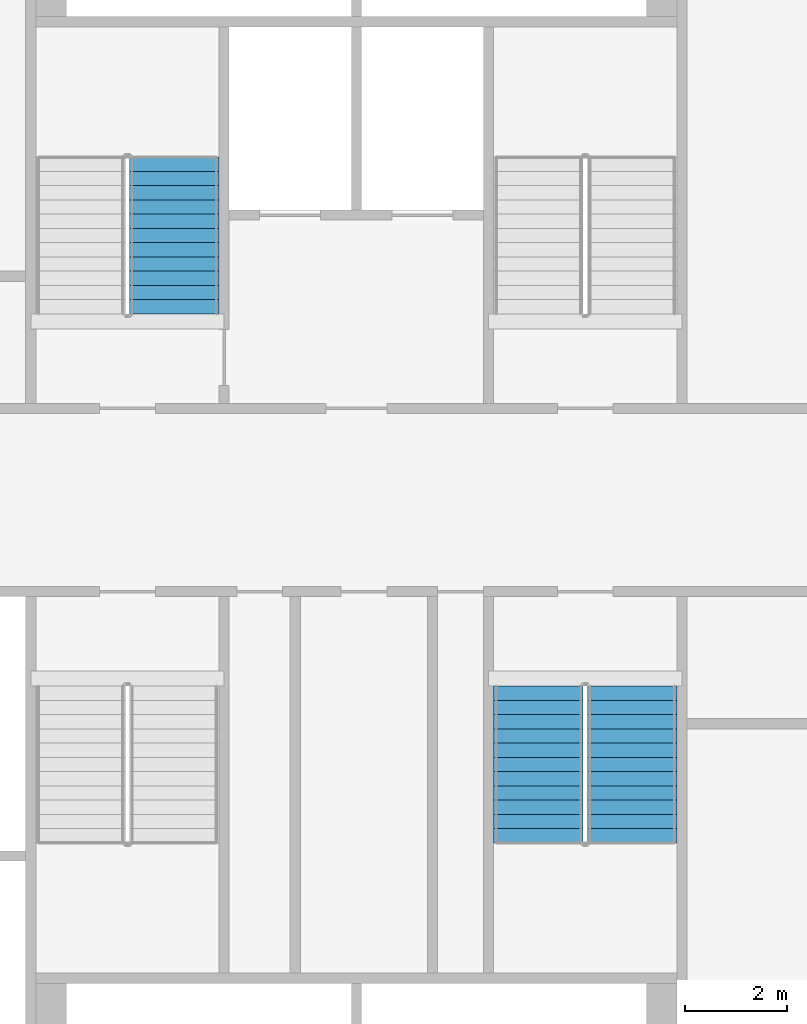
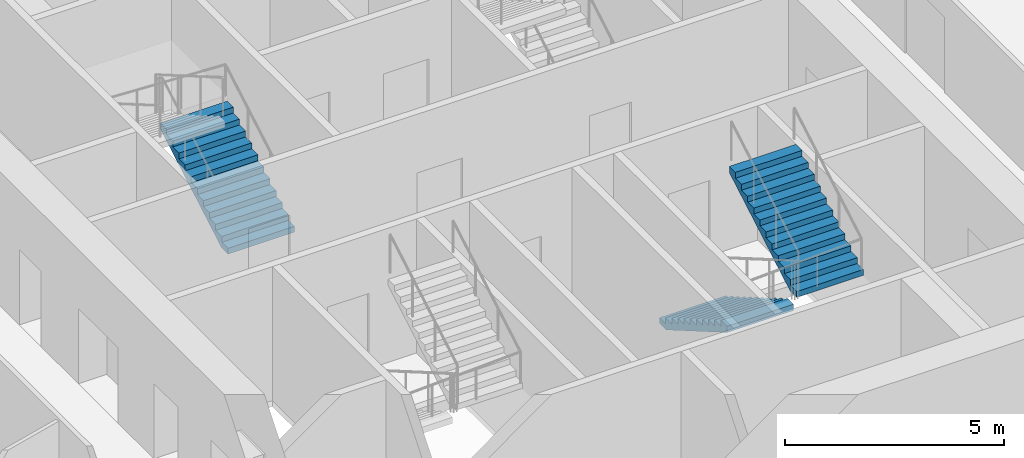
# One storey, part 9 of 16: 3 stair flights, 2 elements without a shape of their own.
"""IFC4 building model written with IfcOpenShell, lengths in metres."""

from ifc_helpers import new_model, si_unit, direction, frame, origin, place, context, subcontext, project, spatial, faceted_brep, material, type_object, element, aggregate, save


model = new_model("IFC4")

# Units and contexts
model_context = context("Model", 3, precision=1e-05, world=origin(), true_north=direction((0.0, 1.0)))
body_context = subcontext(model_context, "Body", "Model", "MODEL_VIEW")
ifc_project = project(units=[si_unit("LENGTHUNIT", "METRE"), si_unit("AREAUNIT", "SQUARE_METRE"), si_unit("VOLUMEUNIT", "CUBIC_METRE"), si_unit("PLANEANGLEUNIT", "RADIAN"), si_unit("MASSUNIT", "GRAM", prefix="KILO")], contexts=[model_context])

# Site, building, storey
site_placement = place(None, origin())
site = spatial("IfcSite", under=ifc_project, at=site_placement, CompositionType="ELEMENT")
building_placement = place(site_placement, origin())
building = spatial("IfcBuilding", under=site, at=building_placement, Name="Tarsis Ring Headquarters", CompositionType="ELEMENT")
storey_placement = place(building_placement, frame((0.0, 0.0, 120.10009765625)))
storey = spatial("IfcBuildingStorey", under=building, at=storey_placement, Name="L27", CompositionType="ELEMENT", Elevation=120.10009765625)

# Stair, stair flight
ifc_material_1 = material(Name="Core stair 1760")
stair_type = type_object("IfcStairType", Name="Core stair 1760", PredefinedType="HALF_TURN_STAIR", material=ifc_material_1)
stair_1_placement = place(storey_placement, origin())
stair_1 = element("IfcStair", 1, at=stair_1_placement, inside=storey, type_object=stair_type, Name="L27 Firefighting stair", PredefinedType="HALF_TURN_STAIR")
ifc_material_2 = material(Name="Concrete C40/50", Category="concrete")
stair_flight_type = type_object("IfcStairFlightType", Name="Core stair flight 1760", PredefinedType="STRAIGHT", material=ifc_material_2)
stair_flight_1_placement = place(storey_placement, frame((-3.580078125, 3.659912109375, 0.0), z_axis=(0.0, 0.0, 1.0), x_axis=(0.0, 1.0, 0.0)))
stair_flight_1 = element("IfcStairFlight", 2, at=stair_flight_1_placement, type_object=stair_flight_type, Name="Stair ST1 flight 1", NumberOfRisers=12, NumberOfTreads=11, PredefinedType="STRAIGHT", RiserHeight=0.1625, TreadLength=0.28, context=body_context, shape_type="Brep", body=[
    faceted_brep([(0.0, 0.8798828125, 0.0), (0.0, 0.8798828125, 0.16259765625), (0.280029296875, 0.8798828125, 0.16259765625), (0.280029296875, 0.8798828125, 0.324951171875), (0.56005859375, 0.8798828125, 0.324951171875), (0.56005859375, 0.8798828125, 0.487548828125), (0.840087890625, 0.8798828125, 0.487548828125), (0.840087890625, 0.8798828125, 0.64990234375), (1.1201171875, 0.8798828125, 0.64990234375), (1.1201171875, 0.8798828125, 0.8125), (1.39990234375, 0.8798828125, 0.8125), (1.39990234375, 0.8798828125, 0.97509765625), (1.679931640625, 0.8798828125, 0.97509765625), (1.679931640625, 0.8798828125, 1.137451171875), (1.9599609375, 0.8798828125, 1.137451171875), (1.9599609375, 0.8798828125, 1.300048828125), (2.239990234375, 0.8798828125, 1.300048828125), (2.239990234375, 0.8798828125, 1.46240234375), (2.52001953125, 0.8798828125, 1.46240234375), (2.52001953125, 0.8798828125, 1.625), (2.800048828125, 0.8798828125, 1.625), (2.800048828125, 0.8798828125, 1.78759765625), (3.080078125, 0.8798828125, 1.78759765625), (3.080078125, 0.8798828125, 1.6142578125), (0.298583984375, 0.8798828125, 0.0), (0.298583984375, -0.8798828125, 0.0), (3.080078125, -0.8798828125, 1.6142578125), (3.080078125, -0.8798828125, 1.78759765625), (2.800048828125, -0.8798828125, 1.78759765625), (2.800048828125, -0.8798828125, 1.625), (2.52001953125, -0.8798828125, 1.625), (2.52001953125, -0.8798828125, 1.46240234375), (2.239990234375, -0.8798828125, 1.46240234375), (2.239990234375, -0.8798828125, 1.300048828125), (1.9599609375, -0.8798828125, 1.300048828125), (1.9599609375, -0.8798828125, 1.137451171875), (1.679931640625, -0.8798828125, 1.137451171875), (1.679931640625, -0.8798828125, 0.97509765625), (1.39990234375, -0.8798828125, 0.97509765625), (1.39990234375, -0.8798828125, 0.8125), (1.1201171875, -0.8798828125, 0.8125), (1.1201171875, -0.8798828125, 0.64990234375), (0.840087890625, -0.8798828125, 0.64990234375), (0.840087890625, -0.8798828125, 0.487548828125), (0.56005859375, -0.8798828125, 0.487548828125), (0.56005859375, -0.8798828125, 0.324951171875), (0.280029296875, -0.8798828125, 0.324951171875), (0.280029296875, -0.8798828125, 0.16259765625), (0.0, -0.8798828125, 0.16259765625), (0.0, -0.8798828125, 0.0), (0.0, -0.43994140625, 0.16259765625), (0.0, -0.43994140625, 0.0), (0.0, 0.0, 0.16259765625), (0.0, 0.0, 0.0), (0.0, 0.43994140625, 0.16259765625), (0.0, 0.43994140625, 0.0), (0.280029296875, -0.43994140625, 0.16259765625), (0.280029296875, 0.0, 0.16259765625), (0.280029296875, 0.43994140625, 0.16259765625), (0.280029296875, -0.43994140625, 0.324951171875), (0.280029296875, 0.0, 0.324951171875), (0.280029296875, 0.43994140625, 0.324951171875), (0.56005859375, -0.43994140625, 0.324951171875), (0.56005859375, 0.0, 0.324951171875), (0.56005859375, 0.43994140625, 0.324951171875), (0.56005859375, -0.43994140625, 0.487548828125), (0.56005859375, 0.0, 0.487548828125), (0.56005859375, 0.43994140625, 0.487548828125), (0.840087890625, -0.43994140625, 0.487548828125), (0.840087890625, 0.0, 0.487548828125), (0.840087890625, 0.43994140625, 0.487548828125), (0.840087890625, -0.43994140625, 0.64990234375), (0.840087890625, 0.0, 0.64990234375), (0.840087890625, 0.43994140625, 0.64990234375), (1.1201171875, -0.43994140625, 0.64990234375), (1.1201171875, 0.0, 0.64990234375), (1.1201171875, 0.43994140625, 0.64990234375), (1.1201171875, -0.43994140625, 0.8125), (1.1201171875, 0.0, 0.8125), (1.1201171875, 0.43994140625, 0.8125), (1.39990234375, -0.43994140625, 0.8125), (1.39990234375, 0.0, 0.8125), (1.39990234375, 0.43994140625, 0.8125), (1.39990234375, -0.43994140625, 0.97509765625), (1.39990234375, 0.0, 0.97509765625), (1.39990234375, 0.43994140625, 0.97509765625), (1.679931640625, -0.43994140625, 0.97509765625), (1.679931640625, 0.0, 0.97509765625), (1.679931640625, 0.43994140625, 0.97509765625), (1.679931640625, -0.43994140625, 1.137451171875), (1.679931640625, 0.0, 1.137451171875), (1.679931640625, 0.43994140625, 1.137451171875), (1.9599609375, -0.43994140625, 1.137451171875), (1.9599609375, 0.0, 1.137451171875), (1.9599609375, 0.43994140625, 1.137451171875), (1.9599609375, -0.43994140625, 1.300048828125), (1.9599609375, 0.0, 1.300048828125), (1.9599609375, 0.43994140625, 1.300048828125), (2.239990234375, -0.43994140625, 1.300048828125), (2.239990234375, 0.0, 1.300048828125), (2.239990234375, 0.43994140625, 1.300048828125), (2.239990234375, -0.43994140625, 1.46240234375), (2.239990234375, 0.0, 1.46240234375), (2.239990234375, 0.43994140625, 1.46240234375), (2.52001953125, -0.43994140625, 1.46240234375), (2.52001953125, 0.0, 1.46240234375), (2.52001953125, 0.43994140625, 1.46240234375), (2.52001953125, -0.43994140625, 1.625), (2.52001953125, 0.0, 1.625), (2.52001953125, 0.43994140625, 1.625), (2.800048828125, -0.43994140625, 1.625), (2.800048828125, 0.0, 1.625), (2.800048828125, 0.43994140625, 1.625), (2.800048828125, -0.43994140625, 1.78759765625), (2.800048828125, 0.0, 1.78759765625), (2.800048828125, 0.43994140625, 1.78759765625), (3.080078125, -0.43994140625, 1.78759765625), (3.080078125, 0.0, 1.78759765625), (3.080078125, 0.43994140625, 1.78759765625), (3.080078125, -0.43994140625, 1.6142578125), (3.080078125, 0.0, 1.6142578125), (3.080078125, 0.43994140625, 1.6142578125), (0.298583984375, -0.43994140625, 0.0), (0.298583984375, 0.0, 0.0), (0.298583984375, 0.43994140625, 0.0)], [[[0, 1, 2, 3, 4, 5, 6, 7, 8, 9, 10, 11, 12, 13, 14, 15, 16, 17, 18, 19, 20, 21, 22, 23, 24]], [[25, 26, 27, 28, 29, 30, 31, 32, 33, 34, 35, 36, 37, 38, 39, 40, 41, 42, 43, 44, 45, 46, 47, 48, 49]], [[49, 48, 50, 51]], [[51, 50, 52, 53]], [[53, 52, 54, 55]], [[55, 54, 1, 0]], [[48, 47, 56, 50]], [[50, 56, 57, 52]], [[52, 57, 58, 54]], [[54, 58, 2, 1]], [[47, 46, 59, 56]], [[56, 59, 60, 57]], [[57, 60, 61, 58]], [[58, 61, 3, 2]], [[46, 45, 62, 59]], [[59, 62, 63, 60]], [[60, 63, 64, 61]], [[61, 64, 4, 3]], [[45, 44, 65, 62]], [[62, 65, 66, 63]], [[63, 66, 67, 64]], [[64, 67, 5, 4]], [[44, 43, 68, 65]], [[65, 68, 69, 66]], [[66, 69, 70, 67]], [[67, 70, 6, 5]], [[43, 42, 71, 68]], [[68, 71, 72, 69]], [[69, 72, 73, 70]], [[70, 73, 7, 6]], [[42, 41, 74, 71]], [[71, 74, 75, 72]], [[72, 75, 76, 73]], [[73, 76, 8, 7]], [[41, 40, 77, 74]], [[74, 77, 78, 75]], [[75, 78, 79, 76]], [[76, 79, 9, 8]], [[40, 39, 80, 77]], [[77, 80, 81, 78]], [[78, 81, 82, 79]], [[79, 82, 10, 9]], [[39, 38, 83, 80]], [[80, 83, 84, 81]], [[81, 84, 85, 82]], [[82, 85, 11, 10]], [[38, 37, 86, 83]], [[83, 86, 87, 84]], [[84, 87, 88, 85]], [[85, 88, 12, 11]], [[37, 36, 89, 86]], [[86, 89, 90, 87]], [[87, 90, 91, 88]], [[88, 91, 13, 12]], [[36, 35, 92, 89]], [[89, 92, 93, 90]], [[90, 93, 94, 91]], [[91, 94, 14, 13]], [[35, 34, 95, 92]], [[92, 95, 96, 93]], [[93, 96, 97, 94]], [[94, 97, 15, 14]], [[34, 33, 98, 95]], [[95, 98, 99, 96]], [[96, 99, 100, 97]], [[97, 100, 16, 15]], [[33, 32, 101, 98]], [[98, 101, 102, 99]], [[99, 102, 103, 100]], [[100, 103, 17, 16]], [[32, 31, 104, 101]], [[101, 104, 105, 102]], [[102, 105, 106, 103]], [[103, 106, 18, 17]], [[31, 30, 107, 104]], [[104, 107, 108, 105]], [[105, 108, 109, 106]], [[106, 109, 19, 18]], [[30, 29, 110, 107]], [[107, 110, 111, 108]], [[108, 111, 112, 109]], [[109, 112, 20, 19]], [[29, 28, 113, 110]], [[110, 113, 114, 111]], [[111, 114, 115, 112]], [[112, 115, 21, 20]], [[28, 27, 116, 113]], [[113, 116, 117, 114]], [[114, 117, 118, 115]], [[115, 118, 22, 21]], [[27, 26, 119, 116]], [[116, 119, 120, 117]], [[117, 120, 121, 118]], [[118, 121, 23, 22]], [[26, 25, 122, 119]], [[119, 122, 123, 120]], [[120, 123, 124, 121]], [[121, 124, 24, 23]], [[25, 49, 51, 122]], [[122, 51, 53, 123]], [[123, 53, 55, 124]], [[124, 55, 0, 24]]]),
])
aggregate(stair_1, [stair_flight_1])

# Stair, stair flights
stair_2_placement = place(storey_placement, origin())
stair_2 = element("IfcStair", 3, at=stair_2_placement, inside=storey, type_object=stair_type, Name="L27 Exit stair D", PredefinedType="HALF_TURN_STAIR")
stair_flight_2_placement = place(storey_placement, frame((3.580078125, -3.659912109375, 0.0), z_axis=(0.0, 0.0, 1.0), x_axis=(0.0, -1.0, 0.0)))
stair_flight_2 = element("IfcStairFlight", 4, at=stair_flight_2_placement, type_object=stair_flight_type, Name="Stair ST4 flight 1", NumberOfRisers=12, NumberOfTreads=11, PredefinedType="STRAIGHT", RiserHeight=0.1625, TreadLength=0.28, context=body_context, shape_type="Brep", body=[
    faceted_brep([(0.0, 0.8798828125, 0.0), (0.0, 0.8798828125, 0.16259765625), (0.280029296875, 0.8798828125, 0.16259765625), (0.280029296875, 0.8798828125, 0.324951171875), (0.56005859375, 0.8798828125, 0.324951171875), (0.56005859375, 0.8798828125, 0.487548828125), (0.840087890625, 0.8798828125, 0.487548828125), (0.840087890625, 0.8798828125, 0.64990234375), (1.1201171875, 0.8798828125, 0.64990234375), (1.1201171875, 0.8798828125, 0.8125), (1.39990234375, 0.8798828125, 0.8125), (1.39990234375, 0.8798828125, 0.97509765625), (1.679931640625, 0.8798828125, 0.97509765625), (1.679931640625, 0.8798828125, 1.137451171875), (1.9599609375, 0.8798828125, 1.137451171875), (1.9599609375, 0.8798828125, 1.300048828125), (2.239990234375, 0.8798828125, 1.300048828125), (2.239990234375, 0.8798828125, 1.46240234375), (2.52001953125, 0.8798828125, 1.46240234375), (2.52001953125, 0.8798828125, 1.625), (2.800048828125, 0.8798828125, 1.625), (2.800048828125, 0.8798828125, 1.78759765625), (3.080078125, 0.8798828125, 1.78759765625), (3.080078125, 0.8798828125, 1.6142578125), (0.298583984375, 0.8798828125, 0.0), (0.298583984375, -0.8798828125, 0.0), (3.080078125, -0.8798828125, 1.6142578125), (3.080078125, -0.8798828125, 1.78759765625), (2.800048828125, -0.8798828125, 1.78759765625), (2.800048828125, -0.8798828125, 1.625), (2.52001953125, -0.8798828125, 1.625), (2.52001953125, -0.8798828125, 1.46240234375), (2.239990234375, -0.8798828125, 1.46240234375), (2.239990234375, -0.8798828125, 1.300048828125), (1.9599609375, -0.8798828125, 1.300048828125), (1.9599609375, -0.8798828125, 1.137451171875), (1.679931640625, -0.8798828125, 1.137451171875), (1.679931640625, -0.8798828125, 0.97509765625), (1.39990234375, -0.8798828125, 0.97509765625), (1.39990234375, -0.8798828125, 0.8125), (1.1201171875, -0.8798828125, 0.8125), (1.1201171875, -0.8798828125, 0.64990234375), (0.840087890625, -0.8798828125, 0.64990234375), (0.840087890625, -0.8798828125, 0.487548828125), (0.56005859375, -0.8798828125, 0.487548828125), (0.56005859375, -0.8798828125, 0.324951171875), (0.280029296875, -0.8798828125, 0.324951171875), (0.280029296875, -0.8798828125, 0.16259765625), (0.0, -0.8798828125, 0.16259765625), (0.0, -0.8798828125, 0.0), (0.0, -0.43994140625, 0.16259765625), (0.0, -0.43994140625, 0.0), (0.0, 0.0, 0.16259765625), (0.0, 0.0, 0.0), (0.0, 0.43994140625, 0.16259765625), (0.0, 0.43994140625, 0.0), (0.280029296875, -0.43994140625, 0.16259765625), (0.280029296875, 0.0, 0.16259765625), (0.280029296875, 0.43994140625, 0.16259765625), (0.280029296875, -0.43994140625, 0.324951171875), (0.280029296875, 0.0, 0.324951171875), (0.280029296875, 0.43994140625, 0.324951171875), (0.56005859375, -0.43994140625, 0.324951171875), (0.56005859375, 0.0, 0.324951171875), (0.56005859375, 0.43994140625, 0.324951171875), (0.56005859375, -0.43994140625, 0.487548828125), (0.56005859375, 0.0, 0.487548828125), (0.56005859375, 0.43994140625, 0.487548828125), (0.840087890625, -0.43994140625, 0.487548828125), (0.840087890625, 0.0, 0.487548828125), (0.840087890625, 0.43994140625, 0.487548828125), (0.840087890625, -0.43994140625, 0.64990234375), (0.840087890625, 0.0, 0.64990234375), (0.840087890625, 0.43994140625, 0.64990234375), (1.1201171875, -0.43994140625, 0.64990234375), (1.1201171875, 0.0, 0.64990234375), (1.1201171875, 0.43994140625, 0.64990234375), (1.1201171875, -0.43994140625, 0.8125), (1.1201171875, 0.0, 0.8125), (1.1201171875, 0.43994140625, 0.8125), (1.39990234375, -0.43994140625, 0.8125), (1.39990234375, 0.0, 0.8125), (1.39990234375, 0.43994140625, 0.8125), (1.39990234375, -0.43994140625, 0.97509765625), (1.39990234375, 0.0, 0.97509765625), (1.39990234375, 0.43994140625, 0.97509765625), (1.679931640625, -0.43994140625, 0.97509765625), (1.679931640625, 0.0, 0.97509765625), (1.679931640625, 0.43994140625, 0.97509765625), (1.679931640625, -0.43994140625, 1.137451171875), (1.679931640625, 0.0, 1.137451171875), (1.679931640625, 0.43994140625, 1.137451171875), (1.9599609375, -0.43994140625, 1.137451171875), (1.9599609375, 0.0, 1.137451171875), (1.9599609375, 0.43994140625, 1.137451171875), (1.9599609375, -0.43994140625, 1.300048828125), (1.9599609375, 0.0, 1.300048828125), (1.9599609375, 0.43994140625, 1.300048828125), (2.239990234375, -0.43994140625, 1.300048828125), (2.239990234375, 0.0, 1.300048828125), (2.239990234375, 0.43994140625, 1.300048828125), (2.239990234375, -0.43994140625, 1.46240234375), (2.239990234375, 0.0, 1.46240234375), (2.239990234375, 0.43994140625, 1.46240234375), (2.52001953125, -0.43994140625, 1.46240234375), (2.52001953125, 0.0, 1.46240234375), (2.52001953125, 0.43994140625, 1.46240234375), (2.52001953125, -0.43994140625, 1.625), (2.52001953125, 0.0, 1.625), (2.52001953125, 0.43994140625, 1.625), (2.800048828125, -0.43994140625, 1.625), (2.800048828125, 0.0, 1.625), (2.800048828125, 0.43994140625, 1.625), (2.800048828125, -0.43994140625, 1.78759765625), (2.800048828125, 0.0, 1.78759765625), (2.800048828125, 0.43994140625, 1.78759765625), (3.080078125, -0.43994140625, 1.78759765625), (3.080078125, 0.0, 1.78759765625), (3.080078125, 0.43994140625, 1.78759765625), (3.080078125, -0.43994140625, 1.6142578125), (3.080078125, 0.0, 1.6142578125), (3.080078125, 0.43994140625, 1.6142578125), (0.298583984375, -0.43994140625, 0.0), (0.298583984375, 0.0, 0.0), (0.298583984375, 0.43994140625, 0.0)], [[[0, 1, 2, 3, 4, 5, 6, 7, 8, 9, 10, 11, 12, 13, 14, 15, 16, 17, 18, 19, 20, 21, 22, 23, 24]], [[25, 26, 27, 28, 29, 30, 31, 32, 33, 34, 35, 36, 37, 38, 39, 40, 41, 42, 43, 44, 45, 46, 47, 48, 49]], [[49, 48, 50, 51]], [[51, 50, 52, 53]], [[53, 52, 54, 55]], [[55, 54, 1, 0]], [[48, 47, 56, 50]], [[50, 56, 57, 52]], [[52, 57, 58, 54]], [[54, 58, 2, 1]], [[47, 46, 59, 56]], [[56, 59, 60, 57]], [[57, 60, 61, 58]], [[58, 61, 3, 2]], [[46, 45, 62, 59]], [[59, 62, 63, 60]], [[60, 63, 64, 61]], [[61, 64, 4, 3]], [[45, 44, 65, 62]], [[62, 65, 66, 63]], [[63, 66, 67, 64]], [[64, 67, 5, 4]], [[44, 43, 68, 65]], [[65, 68, 69, 66]], [[66, 69, 70, 67]], [[67, 70, 6, 5]], [[43, 42, 71, 68]], [[68, 71, 72, 69]], [[69, 72, 73, 70]], [[70, 73, 7, 6]], [[42, 41, 74, 71]], [[71, 74, 75, 72]], [[72, 75, 76, 73]], [[73, 76, 8, 7]], [[41, 40, 77, 74]], [[74, 77, 78, 75]], [[75, 78, 79, 76]], [[76, 79, 9, 8]], [[40, 39, 80, 77]], [[77, 80, 81, 78]], [[78, 81, 82, 79]], [[79, 82, 10, 9]], [[39, 38, 83, 80]], [[80, 83, 84, 81]], [[81, 84, 85, 82]], [[82, 85, 11, 10]], [[38, 37, 86, 83]], [[83, 86, 87, 84]], [[84, 87, 88, 85]], [[85, 88, 12, 11]], [[37, 36, 89, 86]], [[86, 89, 90, 87]], [[87, 90, 91, 88]], [[88, 91, 13, 12]], [[36, 35, 92, 89]], [[89, 92, 93, 90]], [[90, 93, 94, 91]], [[91, 94, 14, 13]], [[35, 34, 95, 92]], [[92, 95, 96, 93]], [[93, 96, 97, 94]], [[94, 97, 15, 14]], [[34, 33, 98, 95]], [[95, 98, 99, 96]], [[96, 99, 100, 97]], [[97, 100, 16, 15]], [[33, 32, 101, 98]], [[98, 101, 102, 99]], [[99, 102, 103, 100]], [[100, 103, 17, 16]], [[32, 31, 104, 101]], [[101, 104, 105, 102]], [[102, 105, 106, 103]], [[103, 106, 18, 17]], [[31, 30, 107, 104]], [[104, 107, 108, 105]], [[105, 108, 109, 106]], [[106, 109, 19, 18]], [[30, 29, 110, 107]], [[107, 110, 111, 108]], [[108, 111, 112, 109]], [[109, 112, 20, 19]], [[29, 28, 113, 110]], [[110, 113, 114, 111]], [[111, 114, 115, 112]], [[112, 115, 21, 20]], [[28, 27, 116, 113]], [[113, 116, 117, 114]], [[114, 117, 118, 115]], [[115, 118, 22, 21]], [[27, 26, 119, 116]], [[116, 119, 120, 117]], [[117, 120, 121, 118]], [[118, 121, 23, 22]], [[26, 25, 122, 119]], [[119, 122, 123, 120]], [[120, 123, 124, 121]], [[121, 124, 24, 23]], [[25, 49, 51, 122]], [[122, 51, 53, 123]], [[123, 53, 55, 124]], [[124, 55, 0, 24]]]),
])
stair_flight_3_placement = place(storey_placement, frame((5.419921875, -6.739990234375, 1.949951171875), z_axis=(0.0, 0.0, 1.0), x_axis=(0.0, 1.0, 0.0)))
stair_flight_3 = element("IfcStairFlight", 5, at=stair_flight_3_placement, type_object=stair_flight_type, Name="Stair ST4 flight 2", NumberOfRisers=12, NumberOfTreads=11, PredefinedType="STRAIGHT", RiserHeight=0.1625, TreadLength=0.28, context=body_context, shape_type="Brep", body=[
    faceted_brep([(0.0, 0.8798828125, 0.0), (0.0, 0.8798828125, 0.16259765625), (0.280029296875, 0.8798828125, 0.16259765625), (0.280029296875, 0.8798828125, 0.324951171875), (0.56005859375, 0.8798828125, 0.324951171875), (0.56005859375, 0.8798828125, 0.487548828125), (0.840087890625, 0.8798828125, 0.487548828125), (0.840087890625, 0.8798828125, 0.64990234375), (1.1201171875, 0.8798828125, 0.64990234375), (1.1201171875, 0.8798828125, 0.8125), (1.39990234375, 0.8798828125, 0.8125), (1.39990234375, 0.8798828125, 0.97509765625), (1.679931640625, 0.8798828125, 0.97509765625), (1.679931640625, 0.8798828125, 1.137451171875), (1.9599609375, 0.8798828125, 1.137451171875), (1.9599609375, 0.8798828125, 1.300048828125), (2.239990234375, 0.8798828125, 1.300048828125), (2.239990234375, 0.8798828125, 1.46240234375), (2.52001953125, 0.8798828125, 1.46240234375), (2.52001953125, 0.8798828125, 1.625), (2.800048828125, 0.8798828125, 1.625), (2.800048828125, 0.8798828125, 1.78759765625), (3.080078125, 0.8798828125, 1.78759765625), (3.080078125, 0.8798828125, 1.6142578125), (0.298583984375, 0.8798828125, 0.0), (0.298583984375, -0.8798828125, 0.0), (3.080078125, -0.8798828125, 1.6142578125), (3.080078125, -0.8798828125, 1.78759765625), (2.800048828125, -0.8798828125, 1.78759765625), (2.800048828125, -0.8798828125, 1.625), (2.52001953125, -0.8798828125, 1.625), (2.52001953125, -0.8798828125, 1.46240234375), (2.239990234375, -0.8798828125, 1.46240234375), (2.239990234375, -0.8798828125, 1.300048828125), (1.9599609375, -0.8798828125, 1.300048828125), (1.9599609375, -0.8798828125, 1.137451171875), (1.679931640625, -0.8798828125, 1.137451171875), (1.679931640625, -0.8798828125, 0.97509765625), (1.39990234375, -0.8798828125, 0.97509765625), (1.39990234375, -0.8798828125, 0.8125), (1.1201171875, -0.8798828125, 0.8125), (1.1201171875, -0.8798828125, 0.64990234375), (0.840087890625, -0.8798828125, 0.64990234375), (0.840087890625, -0.8798828125, 0.487548828125), (0.56005859375, -0.8798828125, 0.487548828125), (0.56005859375, -0.8798828125, 0.324951171875), (0.280029296875, -0.8798828125, 0.324951171875), (0.280029296875, -0.8798828125, 0.16259765625), (0.0, -0.8798828125, 0.16259765625), (0.0, -0.8798828125, 0.0), (0.0, -0.43994140625, 0.16259765625), (0.0, -0.43994140625, 0.0), (0.0, 0.0, 0.16259765625), (0.0, 0.0, 0.0), (0.0, 0.43994140625, 0.16259765625), (0.0, 0.43994140625, 0.0), (0.280029296875, -0.43994140625, 0.16259765625), (0.280029296875, 0.0, 0.16259765625), (0.280029296875, 0.43994140625, 0.16259765625), (0.280029296875, -0.43994140625, 0.324951171875), (0.280029296875, 0.0, 0.324951171875), (0.280029296875, 0.43994140625, 0.324951171875), (0.56005859375, -0.43994140625, 0.324951171875), (0.56005859375, 0.0, 0.324951171875), (0.56005859375, 0.43994140625, 0.324951171875), (0.56005859375, -0.43994140625, 0.487548828125), (0.56005859375, 0.0, 0.487548828125), (0.56005859375, 0.43994140625, 0.487548828125), (0.840087890625, -0.43994140625, 0.487548828125), (0.840087890625, 0.0, 0.487548828125), (0.840087890625, 0.43994140625, 0.487548828125), (0.840087890625, -0.43994140625, 0.64990234375), (0.840087890625, 0.0, 0.64990234375), (0.840087890625, 0.43994140625, 0.64990234375), (1.1201171875, -0.43994140625, 0.64990234375), (1.1201171875, 0.0, 0.64990234375), (1.1201171875, 0.43994140625, 0.64990234375), (1.1201171875, -0.43994140625, 0.8125), (1.1201171875, 0.0, 0.8125), (1.1201171875, 0.43994140625, 0.8125), (1.39990234375, -0.43994140625, 0.8125), (1.39990234375, 0.0, 0.8125), (1.39990234375, 0.43994140625, 0.8125), (1.39990234375, -0.43994140625, 0.97509765625), (1.39990234375, 0.0, 0.97509765625), (1.39990234375, 0.43994140625, 0.97509765625), (1.679931640625, -0.43994140625, 0.97509765625), (1.679931640625, 0.0, 0.97509765625), (1.679931640625, 0.43994140625, 0.97509765625), (1.679931640625, -0.43994140625, 1.137451171875), (1.679931640625, 0.0, 1.137451171875), (1.679931640625, 0.43994140625, 1.137451171875), (1.9599609375, -0.43994140625, 1.137451171875), (1.9599609375, 0.0, 1.137451171875), (1.9599609375, 0.43994140625, 1.137451171875), (1.9599609375, -0.43994140625, 1.300048828125), (1.9599609375, 0.0, 1.300048828125), (1.9599609375, 0.43994140625, 1.300048828125), (2.239990234375, -0.43994140625, 1.300048828125), (2.239990234375, 0.0, 1.300048828125), (2.239990234375, 0.43994140625, 1.300048828125), (2.239990234375, -0.43994140625, 1.46240234375), (2.239990234375, 0.0, 1.46240234375), (2.239990234375, 0.43994140625, 1.46240234375), (2.52001953125, -0.43994140625, 1.46240234375), (2.52001953125, 0.0, 1.46240234375), (2.52001953125, 0.43994140625, 1.46240234375), (2.52001953125, -0.43994140625, 1.625), (2.52001953125, 0.0, 1.625), (2.52001953125, 0.43994140625, 1.625), (2.800048828125, -0.43994140625, 1.625), (2.800048828125, 0.0, 1.625), (2.800048828125, 0.43994140625, 1.625), (2.800048828125, -0.43994140625, 1.78759765625), (2.800048828125, 0.0, 1.78759765625), (2.800048828125, 0.43994140625, 1.78759765625), (3.080078125, -0.43994140625, 1.78759765625), (3.080078125, 0.0, 1.78759765625), (3.080078125, 0.43994140625, 1.78759765625), (3.080078125, -0.43994140625, 1.6142578125), (3.080078125, 0.0, 1.6142578125), (3.080078125, 0.43994140625, 1.6142578125), (0.298583984375, -0.43994140625, 0.0), (0.298583984375, 0.0, 0.0), (0.298583984375, 0.43994140625, 0.0)], [[[0, 1, 2, 3, 4, 5, 6, 7, 8, 9, 10, 11, 12, 13, 14, 15, 16, 17, 18, 19, 20, 21, 22, 23, 24]], [[25, 26, 27, 28, 29, 30, 31, 32, 33, 34, 35, 36, 37, 38, 39, 40, 41, 42, 43, 44, 45, 46, 47, 48, 49]], [[49, 48, 50, 51]], [[51, 50, 52, 53]], [[53, 52, 54, 55]], [[55, 54, 1, 0]], [[48, 47, 56, 50]], [[50, 56, 57, 52]], [[52, 57, 58, 54]], [[54, 58, 2, 1]], [[47, 46, 59, 56]], [[56, 59, 60, 57]], [[57, 60, 61, 58]], [[58, 61, 3, 2]], [[46, 45, 62, 59]], [[59, 62, 63, 60]], [[60, 63, 64, 61]], [[61, 64, 4, 3]], [[45, 44, 65, 62]], [[62, 65, 66, 63]], [[63, 66, 67, 64]], [[64, 67, 5, 4]], [[44, 43, 68, 65]], [[65, 68, 69, 66]], [[66, 69, 70, 67]], [[67, 70, 6, 5]], [[43, 42, 71, 68]], [[68, 71, 72, 69]], [[69, 72, 73, 70]], [[70, 73, 7, 6]], [[42, 41, 74, 71]], [[71, 74, 75, 72]], [[72, 75, 76, 73]], [[73, 76, 8, 7]], [[41, 40, 77, 74]], [[74, 77, 78, 75]], [[75, 78, 79, 76]], [[76, 79, 9, 8]], [[40, 39, 80, 77]], [[77, 80, 81, 78]], [[78, 81, 82, 79]], [[79, 82, 10, 9]], [[39, 38, 83, 80]], [[80, 83, 84, 81]], [[81, 84, 85, 82]], [[82, 85, 11, 10]], [[38, 37, 86, 83]], [[83, 86, 87, 84]], [[84, 87, 88, 85]], [[85, 88, 12, 11]], [[37, 36, 89, 86]], [[86, 89, 90, 87]], [[87, 90, 91, 88]], [[88, 91, 13, 12]], [[36, 35, 92, 89]], [[89, 92, 93, 90]], [[90, 93, 94, 91]], [[91, 94, 14, 13]], [[35, 34, 95, 92]], [[92, 95, 96, 93]], [[93, 96, 97, 94]], [[94, 97, 15, 14]], [[34, 33, 98, 95]], [[95, 98, 99, 96]], [[96, 99, 100, 97]], [[97, 100, 16, 15]], [[33, 32, 101, 98]], [[98, 101, 102, 99]], [[99, 102, 103, 100]], [[100, 103, 17, 16]], [[32, 31, 104, 101]], [[101, 104, 105, 102]], [[102, 105, 106, 103]], [[103, 106, 18, 17]], [[31, 30, 107, 104]], [[104, 107, 108, 105]], [[105, 108, 109, 106]], [[106, 109, 19, 18]], [[30, 29, 110, 107]], [[107, 110, 111, 108]], [[108, 111, 112, 109]], [[109, 112, 20, 19]], [[29, 28, 113, 110]], [[110, 113, 114, 111]], [[111, 114, 115, 112]], [[112, 115, 21, 20]], [[28, 27, 116, 113]], [[113, 116, 117, 114]], [[114, 117, 118, 115]], [[115, 118, 22, 21]], [[27, 26, 119, 116]], [[116, 119, 120, 117]], [[117, 120, 121, 118]], [[118, 121, 23, 22]], [[26, 25, 122, 119]], [[119, 122, 123, 120]], [[120, 123, 124, 121]], [[121, 124, 24, 23]], [[25, 49, 51, 122]], [[122, 51, 53, 123]], [[123, 53, 55, 124]], [[124, 55, 0, 24]]]),
])
aggregate(stair_2, [stair_flight_2, stair_flight_3])

save(model, "model.ifc")
